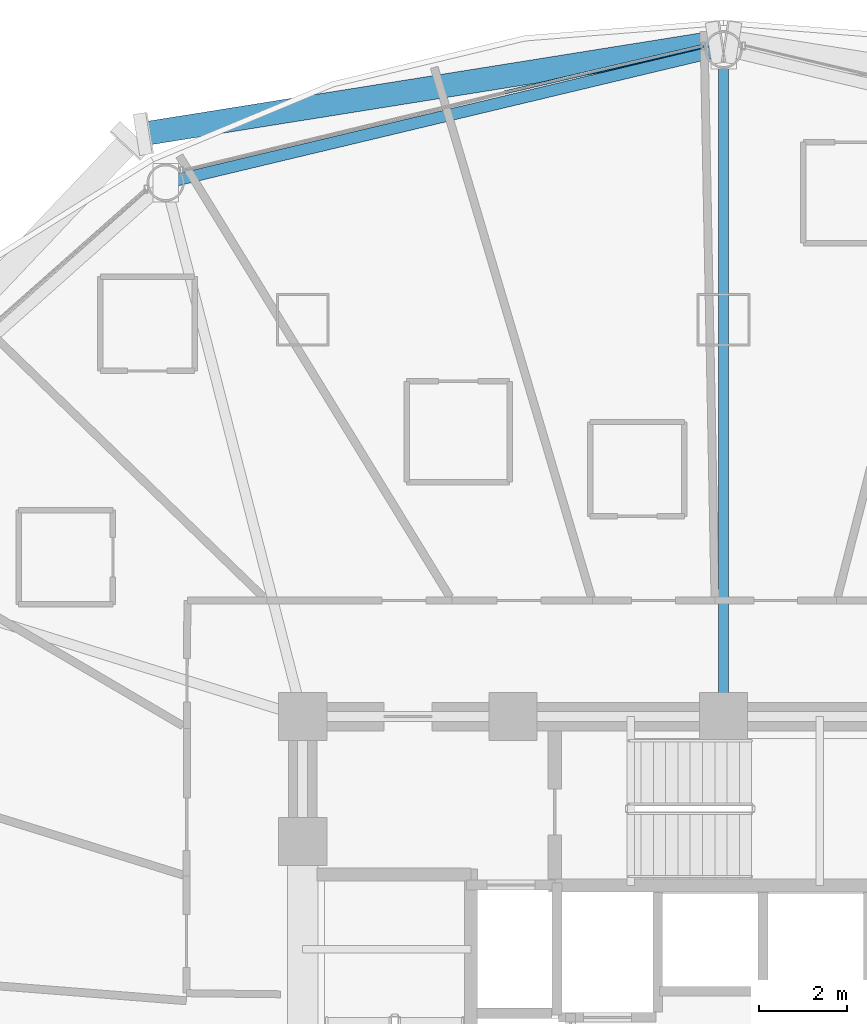
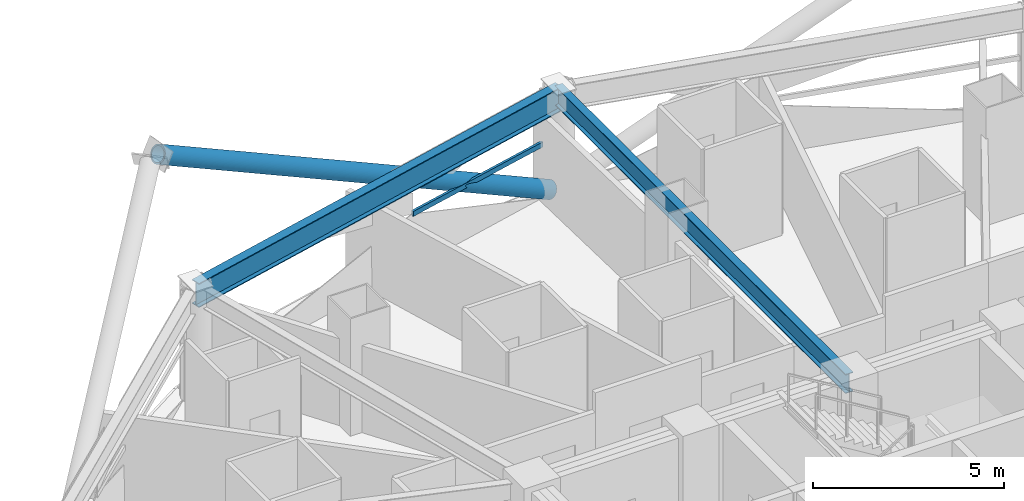
# One storey, part 16 of 31: 2 beams, 2 members, 1 element without a shape of its own.
"""IFC4 building model written with IfcOpenShell, lengths in metres."""

from ifc_helpers import new_model, si_unit, direction, frame, origin, origin_2d, place, context, subcontext, project, spatial, hollow_rectangle, hollow_circle, i_section, extrude, material, layer, layer_set, material_profile, profile_set, type_object, element, aggregate, save


model = new_model("IFC4")

# Units and contexts
model_context = context("Model", 3, precision=1e-05, world=origin(), true_north=direction((0.0, 1.0)))
body_context = subcontext(model_context, "Body", "Model", "MODEL_VIEW")
ifc_project = project(units=[si_unit("LENGTHUNIT", "METRE"), si_unit("AREAUNIT", "SQUARE_METRE"), si_unit("VOLUMEUNIT", "CUBIC_METRE"), si_unit("PLANEANGLEUNIT", "RADIAN"), si_unit("MASSUNIT", "GRAM", prefix="KILO")], contexts=[model_context])

# Site, building, storey
site_placement = place(None, origin())
site = spatial("IfcSite", under=ifc_project, at=site_placement, CompositionType="ELEMENT")
building_placement = place(site_placement, origin())
building = spatial("IfcBuilding", under=site, at=building_placement, Name="Vantalir Tower", CompositionType="ELEMENT")
storey_placement = place(building_placement, frame((0.0, 0.0, 34.5)))
storey = spatial("IfcBuildingStorey", under=building, at=storey_placement, Name="L07", CompositionType="ELEMENT", Elevation=34.5)

# Beams
ifc_material_1 = material(Name="Steel S355", Category="steel")
ifc_material_profile_1 = material_profile(ifc_material_1, i_section(OverallWidth=0.22998046875, OverallDepth=0.616943359375, WebThickness=0.01318359375, FlangeThickness=0.022216796875, at=origin_2d()), Name="Steel S355")
ifc_profile_set_1 = profile_set([ifc_material_profile_1], Name="Steel S355")
beam_type_1 = type_object("IfcBeamType", Name="BM-RB-610x229", PredefinedType="BEAM", material=ifc_profile_set_1)
beam_1_placement = place(storey_placement, frame((31.5, 47.6640625, 3.261962890625), z_axis=(0.0, -1.0, 0.0), x_axis=(1.0, 0.0, 0.0)))
element("IfcBeam", 1, at=beam_1_placement, inside=storey, type_object=beam_type_1, Name="L07 Radial Floor Beam 04", PredefinedType="BEAM", context=body_context, shape_type="SweptSolid", body=[
    extrude(i_section(OverallWidth=0.22998046875, OverallDepth=0.616943359375, WebThickness=0.01318359375, FlangeThickness=0.022216796875, at=origin_2d()), origin(), (0.0, 0.0, 1.0), 15.214111328125),
])
ifc_material_2 = material(Name="Steel S460", Category="steel")
ifc_material_profile_2 = material_profile(ifc_material_2, i_section(OverallWidth=0.26806640625, OverallDepth=0.77001953125, WebThickness=0.015625, FlangeThickness=0.025390625, at=origin_2d()), Name="Steel S460")
ifc_profile_set_2 = profile_set([ifc_material_profile_2], Name="Steel S460")
beam_type_2 = type_object("IfcBeamType", Name="BM-RG-762x267", PredefinedType="USERDEFINED", material=ifc_profile_set_2)
beam_2_placement = place(storey_placement, frame((31.5, 47.6640625, 3.18505859375), z_axis=(-0.972696777879, -0.232079680935, 0.0), x_axis=(0.232079680935, -0.972696777879, 0.0)))
element("IfcBeam", 2, at=beam_2_placement, inside=storey, type_object=beam_type_2, Name="L07 Circumferential Ring Girder 04", ObjectType="GIRDER", PredefinedType="USERDEFINED", context=body_context, shape_type="SweptSolid", body=[
    extrude(i_section(OverallWidth=0.26806640625, OverallDepth=0.77001953125, WebThickness=0.015625, FlangeThickness=0.025390625, at=origin_2d()), origin(), (0.0, 0.0, 1.0), 13.082275390625),
])

# Curtain wall, member
ifc_material_3 = material(Name="Champagne-silver PVDF aluminium and double-silver Low-E glass", Category="aluminium")
ifc_layer = layer(ifc_material_3, 0.18994140625)
ifc_layer_set = layer_set([ifc_layer], Name="Champagne-silver PVDF aluminium and double-silver Low-E glass")
curtain_wall_type = type_object("IfcCurtainWallType", Name="CW-DIAMOND-Z1", PredefinedType="USERDEFINED", material=ifc_layer_set)
curtain_wall_placement = place(storey_placement, origin())
curtain_wall = element("IfcCurtainWall", 3, at=curtain_wall_placement, inside=storey, type_object=curtain_wall_type, Name="L07 Quilted Pyramid-Diamond Curtain Wall S04", ObjectType="UNITISED CURTAIN WALL", PredefinedType="USERDEFINED")
ifc_material_4 = material(Name="Champagne-silver PVDF aluminium 6063-T6", Category="aluminium")
ifc_material_profile_3 = material_profile(ifc_material_4, hollow_rectangle(XDim=0.074951171875, YDim=0.159912109375, WallThickness=0.00390625, at=origin_2d()), Name="Champagne-silver PVDF aluminium 6063-T6")
ifc_profile_set_3 = profile_set([ifc_material_profile_3], Name="Champagne-silver PVDF aluminium 6063-T6")
member_type_1 = type_object("IfcMemberType", Name="CWT-160x75", PredefinedType="USERDEFINED", material=ifc_profile_set_3)
member_1_placement = place(storey_placement, frame((31.04296875, 47.7451171875, 1.784912109375), z_axis=(-0.973835402479, -0.227254502438, 0.0), x_axis=(0.227254502438, -0.973835402479, 0.0)))
member_1 = element("IfcMember", 4, at=member_1_placement, type_object=member_type_1, Name="CW-L07-S04 Pyramid Fold Ridge Transom", ObjectType="TRANSOM", PredefinedType="USERDEFINED", context=body_context, shape_type="SweptSolid", body=[
    extrude(hollow_rectangle(XDim=0.074951171875, YDim=0.159912109375, WallThickness=0.00390625, at=origin_2d()), origin(), (0.0, 0.0, 1.0), 4.65185546875),
])
aggregate(curtain_wall, [member_1])

# Member
ifc_material_profile_4 = material_profile(ifc_material_2, hollow_circle(Radius=0.27001953125, WallThickness=0.044921875, at=origin_2d()), Name="Steel S460")
ifc_profile_set_4 = profile_set([ifc_material_profile_4], Name="Steel S460")
member_type_2 = type_object("IfcMemberType", Name="MEM-DB-540x45", PredefinedType="BRACE", material=ifc_profile_set_4)
member_2_placement = place(storey_placement, frame((31.30810546875, 47.822998046875, 0.18310546875), z_axis=(-0.87360480132, -0.139459873475, 0.466224832887), x_axis=(0.157641224231, -0.987496452866, 0.0)))
element("IfcMember", 5, at=member_2_placement, inside=storey, type_object=member_type_2, Name="L07 Perimeter S460 Diagrid Brace R10L", PredefinedType="BRACE", context=body_context, shape_type="SweptSolid", body=[
    extrude(hollow_circle(Radius=0.27001953125, WallThickness=0.044921875, at=origin_2d()), origin(), (0.0, 0.0, 1.0), 14.915283203125),
])

save(model, "model.ifc")
